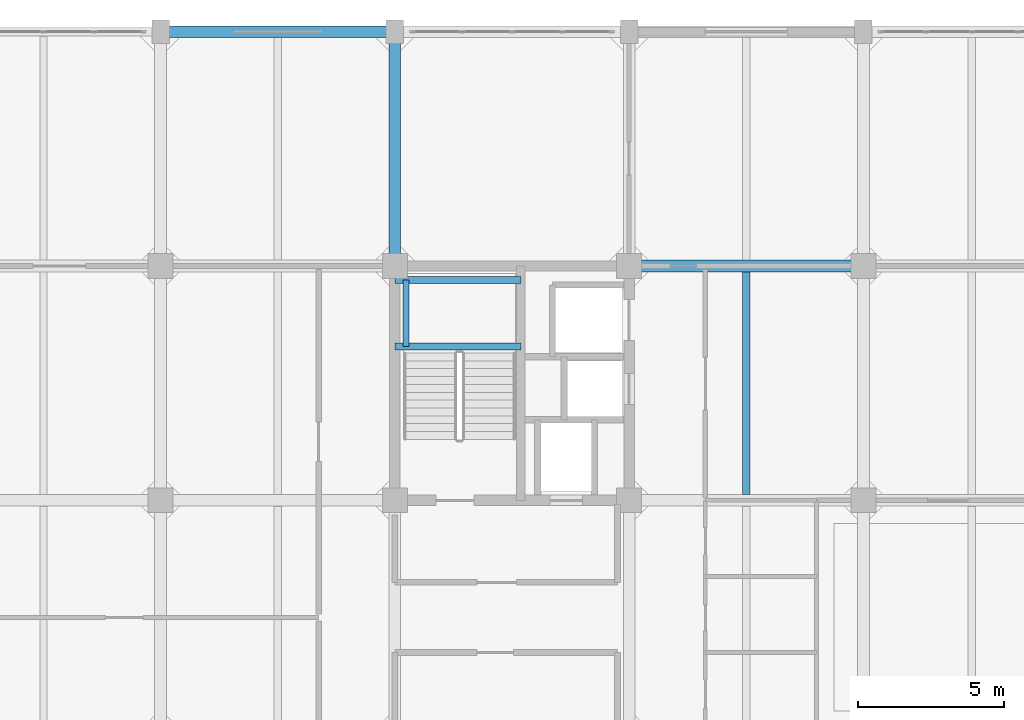
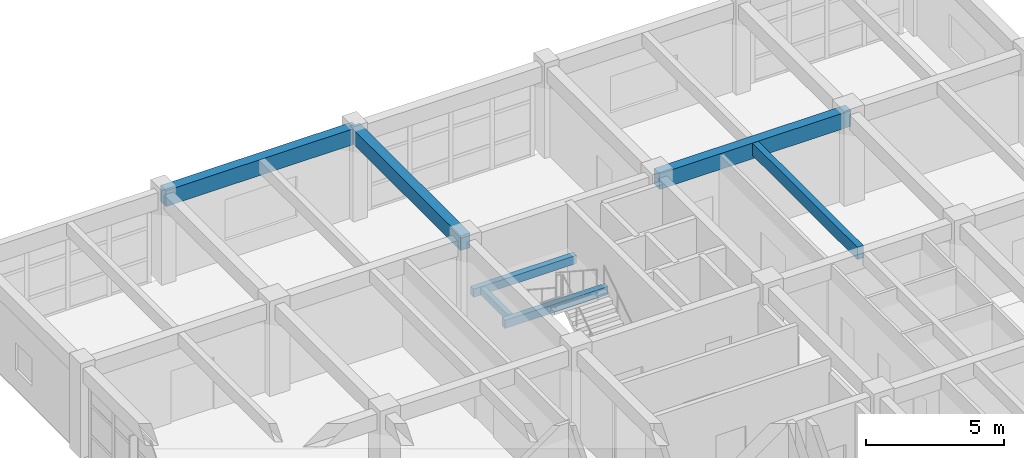
# One storey, part 16 of 30: 7 beams.
"""IFC4 building model written with IfcOpenShell, lengths in metres."""

from ifc_helpers import new_model, si_unit, direction, frame, origin, origin_2d, place, context, subcontext, project, spatial, rectangle, extrude, material, material_profile, profile_set, type_object, element, save


model = new_model("IFC4")

# Units and contexts
model_context = context("Model", 3, precision=1e-05, world=origin(), true_north=direction((0.0, 1.0)))
body_context = subcontext(model_context, "Body", "Model", "MODEL_VIEW")
ifc_project = project(units=[si_unit("LENGTHUNIT", "METRE"), si_unit("AREAUNIT", "SQUARE_METRE"), si_unit("VOLUMEUNIT", "CUBIC_METRE"), si_unit("PLANEANGLEUNIT", "RADIAN"), si_unit("MASSUNIT", "GRAM", prefix="KILO")], contexts=[model_context])

# Site, building, storey
site_placement = place(None, origin())
site = spatial("IfcSite", under=ifc_project, at=site_placement, CompositionType="ELEMENT")
building_placement = place(site_placement, origin())
building = spatial("IfcBuilding", under=site, at=building_placement, Name="Canggui Botanical Conservatory", CompositionType="ELEMENT")
storey_placement = place(building_placement, frame((0.0, 0.0, 27.60009765625)))
storey = spatial("IfcBuildingStorey", under=building, at=storey_placement, Name="L07", CompositionType="ELEMENT", Elevation=27.60009765625)

# Beams
ifc_material = material(Name="Concrete C35", Category="concrete")
ifc_material_profile_1 = material_profile(ifc_material, rectangle(XDim=0.25, YDim=0.550048828125, at=origin_2d()), Name="RB 250x550")
ifc_profile_set_1 = profile_set([ifc_material_profile_1], Name="Concrete C35")
beam_type_1 = type_object("IfcBeamType", Name="BM-JST03", PredefinedType="JOIST", material=ifc_profile_set_1)
beam_1_placement = place(storey_placement, frame((166.0, 58.205078125, 3.684814453125), z_axis=(0.0, 1.0, 0.0), x_axis=(-1.0, 0.0, 0.0)))
element("IfcBeam", 1, at=beam_1_placement, inside=storey, type_object=beam_type_1, Name="Secondary Floor Joist L07-4-4", PredefinedType="JOIST", context=body_context, shape_type="SweptSolid", body=[
    extrude(rectangle(XDim=0.25, YDim=0.550048828125, at=origin_2d()), origin(), (0.0, 0.0, 1.0), 7.58984375),
])
ifc_material_profile_2 = material_profile(ifc_material, rectangle(XDim=0.39990234375, YDim=0.699951171875, at=origin_2d()), Name="RB 400x700")
ifc_profile_set_2 = profile_set([ifc_material_profile_2], Name="Concrete C35")
beam_type_2 = type_object("IfcBeamType", Name="BM-KL11", PredefinedType="BEAM", material=ifc_profile_set_2)
for number, where, z_axis, x_axis, name in (
    (2, (162.0, 66.0, 3.60986328125), (1.0, 0.0, 0.0), (0.0, 1.0, 0.0), "Frame Girder L07 Y66-4"),
    (3, (146.0, 74.0, 3.60986328125), (1.0, 0.0, 0.0), (0.0, 1.0, 0.0), "Frame Girder L07 Y74-2"),
):
    element("IfcBeam", number, at=place(storey_placement, frame(where, z_axis=z_axis, x_axis=x_axis)), inside=storey, type_object=beam_type_2, Name=name, PredefinedType="BEAM", context=body_context, shape_type="SweptSolid", body=[
        extrude(rectangle(XDim=0.39990234375, YDim=0.699951171875, at=origin_2d()), origin(), (0.0, 0.0, 1.0), 8.0),
    ])
ifc_material_profile_3 = material_profile(ifc_material, rectangle(XDim=0.39990234375, YDim=0.64990234375, at=origin_2d()), Name="RB 400x650")
ifc_profile_set_3 = profile_set([ifc_material_profile_3], Name="Concrete C35")
beam_type_3 = type_object("IfcBeamType", Name="BM-KL12", PredefinedType="BEAM", material=ifc_profile_set_3)
beam_2_placement = place(storey_placement, frame((154.0, 66.0, 3.635009765625), z_axis=(0.0, 1.0, 0.0), x_axis=(-1.0, 0.0, 0.0)))
element("IfcBeam", 4, at=beam_2_placement, inside=storey, type_object=beam_type_3, Name="Frame Girder L07 X154-5", PredefinedType="BEAM", context=body_context, shape_type="SweptSolid", body=[
    extrude(rectangle(XDim=0.39990234375, YDim=0.64990234375, at=origin_2d()), origin(), (0.0, 0.0, 1.0), 8.0),
])
ifc_material_profile_4 = material_profile(ifc_material, rectangle(XDim=0.239990234375, YDim=0.360107421875, at=origin_2d()), Name="RB 240x360")
ifc_profile_set_4 = profile_set([ifc_material_profile_4], Name="Concrete C35")
beam_type_4 = type_object("IfcBeamType", Name="BM-LIN01", PredefinedType="LINTEL", material=ifc_profile_set_4)
for number, where, z_axis, x_axis, name in (
    (5, (154.0, 63.24755859375, 1.719970703125), (1.0, 0.0, 0.0), (0.0, 1.0, 0.0), "ST-T2 Half-Landing Ledger Beam L07-1.1"),
    (6, (154.0, 65.52001953125, 1.719970703125), (1.0, 0.0, 0.0), (0.0, 1.0, 0.0), "ST-T2 Half-Landing Ledger Beam L07-1.2"),
):
    element("IfcBeam", number, at=place(storey_placement, frame(where, z_axis=z_axis, x_axis=x_axis)), inside=storey, type_object=beam_type_4, Name=name, PredefinedType="LINTEL", context=body_context, shape_type="SweptSolid", body=[
        extrude(rectangle(XDim=0.239990234375, YDim=0.360107421875, at=origin_2d()), origin(), (0.0, 0.0, 1.0), 4.300048828125),
    ])
ifc_material_profile_5 = material_profile(ifc_material, rectangle(XDim=0.199951171875, YDim=0.320068359375, at=origin_2d()), Name="RB 200x320")
ifc_profile_set_5 = profile_set([ifc_material_profile_5], Name="Concrete C35")
beam_type_5 = type_object("IfcBeamType", Name="BM-LIN02", PredefinedType="LINTEL", material=ifc_profile_set_5)
beam_3_placement = place(storey_placement, frame((154.3798828125, 63.24755859375, 1.719970703125), z_axis=(0.0, 1.0, 0.0), x_axis=(-1.0, 0.0, 0.0)))
element("IfcBeam", 7, at=beam_3_placement, inside=storey, type_object=beam_type_5, Name="ST-T2 Half-Landing Edge Ledger L07-1.3", PredefinedType="LINTEL", context=body_context, shape_type="SweptSolid", body=[
    extrude(rectangle(XDim=0.199951171875, YDim=0.320068359375, at=origin_2d()), origin(), (0.0, 0.0, 1.0), 2.2724609375),
])

save(model, "model.ifc")
